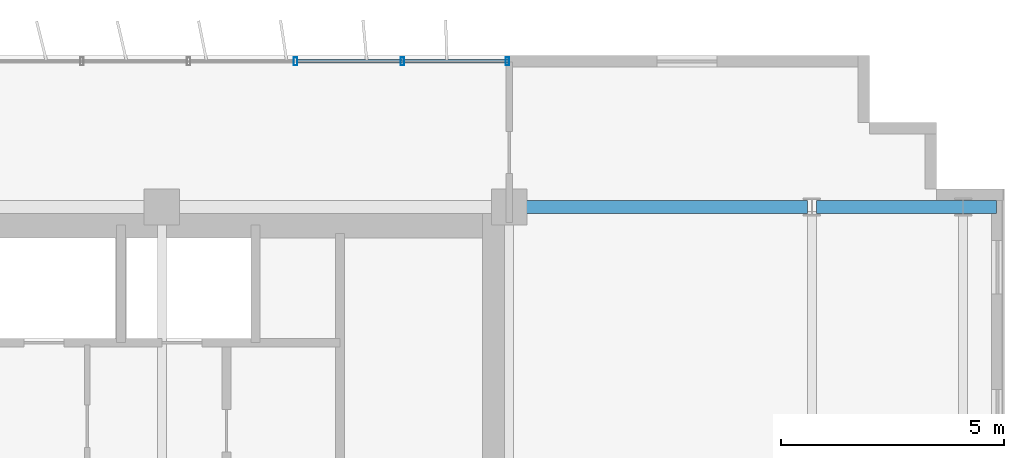
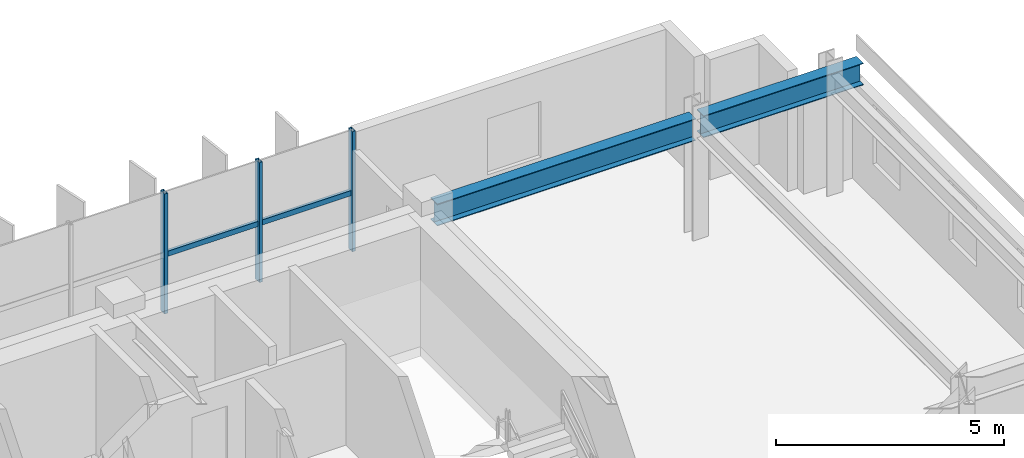
# One storey, part 15 of 26: 5 members, 2 beams, 1 element without a shape of its own.
"""IFC4 building model written with IfcOpenShell, lengths in metres."""

from ifc_helpers import new_model, si_unit, direction, frame, origin, origin_2d, place, context, subcontext, project, spatial, hollow_rectangle, i_section, extrude, source, transform, mapped, material, material_profile, profile_set, type_object, element, aggregate, save


model = new_model("IFC4")

# Units and contexts
model_context = context("Model", 3, precision=1e-05, world=origin(), true_north=direction((0.0, 1.0)))
body_context = subcontext(model_context, "Body", "Model", "MODEL_VIEW")
ifc_project = project(units=[si_unit("LENGTHUNIT", "METRE"), si_unit("AREAUNIT", "SQUARE_METRE"), si_unit("VOLUMEUNIT", "CUBIC_METRE"), si_unit("PLANEANGLEUNIT", "RADIAN"), si_unit("MASSUNIT", "GRAM", prefix="KILO")], contexts=[model_context])

# Site, building, storey
site_placement = place(None, origin())
site = spatial("IfcSite", under=ifc_project, at=site_placement, CompositionType="ELEMENT")
building_placement = place(site_placement, origin())
building = spatial("IfcBuilding", under=site, at=building_placement, Name="Trelvane Seafront Commons", CompositionType="ELEMENT")
storey_placement = place(building_placement, frame((0.0, 0.0, 128.5)))
storey = spatial("IfcBuildingStorey", under=building, at=storey_placement, Name="L33", CompositionType="ELEMENT", Elevation=128.5)

# Beams
ifc_material_1 = material(Name="Steel SM355 (S355)", Category="steel")
ifc_material_profile_1 = material_profile(ifc_material_1, i_section(OverallWidth=0.300048828125, OverallDepth=0.587890625, WebThickness=0.011962890625, FlangeThickness=0.02001953125, at=origin_2d()), Name="H-588x300x12x20")
ifc_profile_set_1 = profile_set([ifc_material_profile_1], Name="Steel SM355 (S355)")
beam_type = type_object("IfcBeamType", Name="STR-BM-H588", PredefinedType="BEAM", material=ifc_profile_set_1)
shared_shape_1 = source(origin(), body_context, "Body", "SweptSolid", [
    extrude(i_section(OverallWidth=0.300048828125, OverallDepth=0.587890625, WebThickness=0.011962890625, FlangeThickness=0.02001953125, at=origin_2d()), origin(), (0.0, 0.0, 1.0), 6.550048828125),
])
beam_1_placement = place(storey_placement, frame((58.949951171875, 45.10009765625, 2.926025390625), z_axis=(1.0, 0.0, 0.0), x_axis=(0.0, 1.0, 0.0)))
element("IfcBeam", 1, at=beam_1_placement, inside=storey, type_object=beam_type, Name="L33 Primary Girder G-35", PredefinedType="BEAM", context=body_context, shape_type="MappedRepresentation", body=[
    mapped(shared_shape_1, transform((0.0, 0.0, 0.0), x_axis=(1.0, 0.0, 0.0), y_axis=(0.0, 1.0, 0.0), z_axis=(0.0, 0.0, 1.0), scale=1.0)),
])
shared_shape_2 = source(origin(), body_context, "Body", "SweptSolid", [
    extrude(i_section(OverallWidth=0.300048828125, OverallDepth=0.587890625, WebThickness=0.011962890625, FlangeThickness=0.02001953125, at=origin_2d()), origin(), (0.0, 0.0, 1.0), 4.050048828125),
])
beam_2_placement = place(storey_placement, frame((65.699951171875, 45.10009765625, 2.926025390625), z_axis=(1.0, 0.0, 0.0), x_axis=(0.0, 1.0, 0.0)))
element("IfcBeam", 2, at=beam_2_placement, inside=storey, type_object=beam_type, Name="L33 Primary Girder G-36", PredefinedType="BEAM", context=body_context, shape_type="MappedRepresentation", body=[
    mapped(shared_shape_2, transform((0.0, 0.0, 0.0), x_axis=(1.0, 0.0, 0.0), y_axis=(0.0, 1.0, 0.0), z_axis=(0.0, 0.0, 1.0), scale=1.0)),
])

# Curtain wall, members
ifc_material_2 = material(Name="Anodised pale-silver aluminium", Category="aluminium")
curtain_wall_type = type_object("IfcCurtainWallType", Name="ARCH-CW4-SKYLOBBY", PredefinedType="NOTDEFINED", material=ifc_material_2)
curtain_wall_placement = place(storey_placement, origin())
curtain_wall = element("IfcCurtainWall", 3, at=curtain_wall_placement, inside=storey, type_object=curtain_wall_type, Name="CW-L33-0059", PredefinedType="NOTDEFINED")
ifc_material_profile_2 = material_profile(ifc_material_2, hollow_rectangle(XDim=0.074951171875, YDim=0.139892578125, WallThickness=0.00390625, at=origin_2d()), Name="TRAN-75x140x4")
ifc_profile_set_2 = profile_set([ifc_material_profile_2], Name="Anodised pale-silver aluminium")
member_type_1 = type_object("IfcMemberType", Name="ARCH-CW-TRAN-140", PredefinedType="USERDEFINED", material=ifc_profile_set_2)
shared_shape_3 = source(origin(), body_context, "Body", "SweptSolid", [
    extrude(hollow_rectangle(XDim=0.074951171875, YDim=0.139892578125, WallThickness=0.00390625, at=origin_2d()), origin(), (0.0, 0.0, 1.0), 2.3759765625),
])
member_1_placement = place(storey_placement, frame((54.011962890625, 48.3701171875, 1.5458984375), z_axis=(1.0, 0.0, 0.0), x_axis=(0.0, 1.0, 0.0)))
member_1 = element("IfcMember", 4, at=member_1_placement, type_object=member_type_1, Name="CW-L33-0059-T16", ObjectType="TRANSOM", PredefinedType="USERDEFINED", context=body_context, shape_type="MappedRepresentation", body=[
    mapped(shared_shape_3, transform((0.0, 0.0, 0.0), x_axis=(1.0, 0.0, 0.0), y_axis=(0.0, 1.0, 0.0), z_axis=(0.0, 0.0, 1.0), scale=1.0)),
])
member_2_placement = place(storey_placement, frame((56.412109375, 48.3701171875, 1.5458984375), z_axis=(1.0, 0.0, 0.0), x_axis=(0.0, 1.0, 0.0)))
member_2 = element("IfcMember", 5, at=member_2_placement, type_object=member_type_1, Name="CW-L33-0059-T17", ObjectType="TRANSOM", PredefinedType="USERDEFINED", context=body_context, shape_type="MappedRepresentation", body=[
    mapped(shared_shape_3, transform((0.0, 0.0, 0.0), x_axis=(1.0, 0.0, 0.0), y_axis=(0.0, 1.0, 0.0), z_axis=(0.0, 0.0, 1.0), scale=1.0)),
])
ifc_material_profile_3 = material_profile(ifc_material_2, hollow_rectangle(XDim=0.080078125, YDim=0.179931640625, WallThickness=0.00439453125, at=origin_2d()), Name="MULL-80x180x4.5")
ifc_profile_set_3 = profile_set([ifc_material_profile_3], Name="Anodised pale-silver aluminium")
member_type_2 = type_object("IfcMemberType", Name="ARCH-CW-MULL-180", PredefinedType="MULLION", material=ifc_profile_set_3)
shared_shape_4 = source(origin(), body_context, "Body", "SweptSolid", [
    extrude(hollow_rectangle(XDim=0.080078125, YDim=0.179931640625, WallThickness=0.00439453125, at=origin_2d()), origin(), (0.0, 0.0, 1.0), 3.219970703125),
])
member_3_placement = place(storey_placement, frame((54.0, 48.3701171875, 0.0), z_axis=(0.0, 0.0, 1.0), x_axis=(1.0, 0.0, 0.0)))
member_3 = element("IfcMember", 6, at=member_3_placement, type_object=member_type_2, Name="CW-L33-0059-M16", PredefinedType="MULLION", context=body_context, shape_type="MappedRepresentation", body=[
    mapped(shared_shape_4, transform((0.0, 0.0, 0.0), x_axis=(1.0, 0.0, 0.0), y_axis=(0.0, 1.0, 0.0), z_axis=(0.0, 0.0, 1.0), scale=1.0)),
])
member_4_placement = place(storey_placement, frame((56.39990234375, 48.3701171875, 0.0), z_axis=(0.0, 0.0, 1.0), x_axis=(1.0, 0.0, 0.0)))
member_4 = element("IfcMember", 7, at=member_4_placement, type_object=member_type_2, Name="CW-L33-0059-M17", PredefinedType="MULLION", context=body_context, shape_type="MappedRepresentation", body=[
    mapped(shared_shape_4, transform((0.0, 0.0, 0.0), x_axis=(1.0, 0.0, 0.0), y_axis=(0.0, 1.0, 0.0), z_axis=(0.0, 0.0, 1.0), scale=1.0)),
])
member_5_placement = place(storey_placement, frame((58.760009765625, 48.3701171875, 0.0), z_axis=(0.0, 0.0, 1.0), x_axis=(1.0, 0.0, 0.0)))
member_5 = element("IfcMember", 8, at=member_5_placement, type_object=member_type_2, Name="CW-L33-0059-M18", PredefinedType="MULLION", context=body_context, shape_type="MappedRepresentation", body=[
    mapped(shared_shape_4, transform((0.0, 0.0, 0.0), x_axis=(1.0, 0.0, 0.0), y_axis=(0.0, 1.0, 0.0), z_axis=(0.0, 0.0, 1.0), scale=1.0)),
])
aggregate(curtain_wall, [member_3, member_4, member_5, member_1, member_2])

save(model, "model.ifc")
